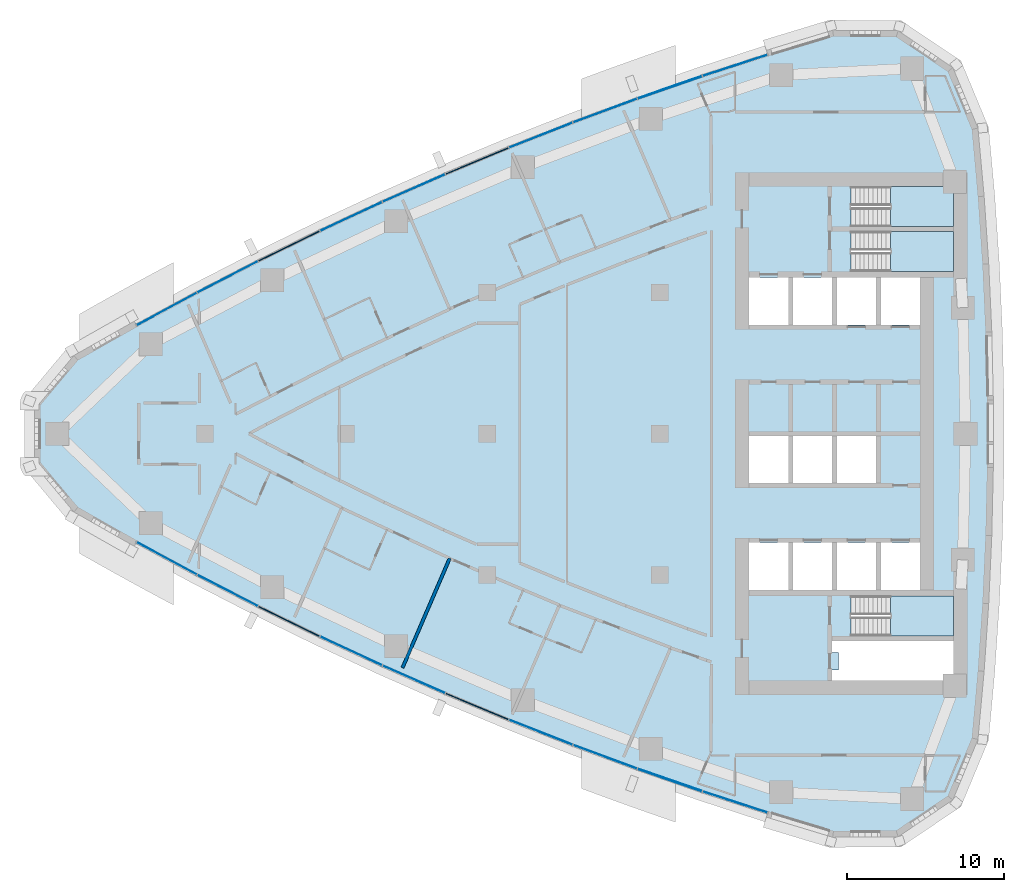
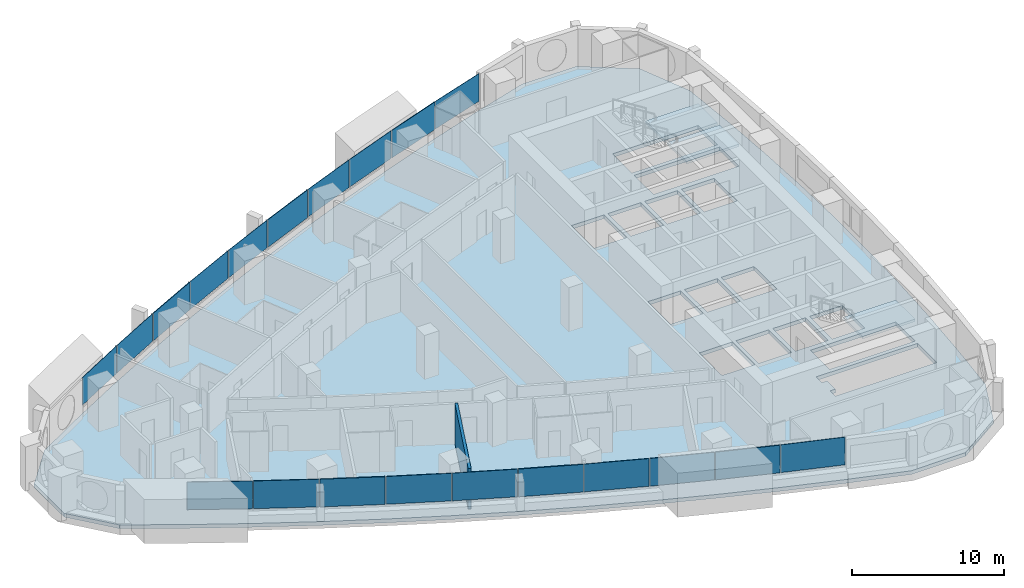
# One storey, part 7 of 17: 20 plates, 4 slabs, 1 wall, 1 opening, 13 elements without a shape of their own.
"""IFC4 building model written with IfcOpenShell, lengths in metres."""

from ifc_helpers import new_model, si_unit, direction, frame, frame_2d, origin, origin_2d, place, context, subcontext, project, spatial, polyline, rectangle, outline, extrude, material, layer, layer_set, type_object, element, aggregate, save


model = new_model("IFC4")

# Units and contexts
model_context = context("Model", 3, precision=1e-05, world=origin(), true_north=direction((0.0, 1.0)))
body_context = subcontext(model_context, "Body", "Model", "MODEL_VIEW")
ifc_project = project(units=[si_unit("LENGTHUNIT", "METRE"), si_unit("AREAUNIT", "SQUARE_METRE"), si_unit("VOLUMEUNIT", "CUBIC_METRE"), si_unit("PLANEANGLEUNIT", "RADIAN"), si_unit("MASSUNIT", "GRAM", prefix="KILO")], contexts=[model_context])

# Site, building, storey
site_placement = place(None, origin())
site = spatial("IfcSite", under=ifc_project, at=site_placement, CompositionType="ELEMENT")
building_placement = place(site_placement, origin())
building = spatial("IfcBuilding", under=site, at=building_placement, Name="Ostrand Prow Hotel Tower", CompositionType="ELEMENT")
storey_placement = place(building_placement, frame((0.0, 0.0, 158.60009765625)))
storey = spatial("IfcBuildingStorey", under=building, at=storey_placement, Name="L39", CompositionType="ELEMENT", Elevation=158.60009765625)

# Curtain wall, plates
ifc_material_1 = material(Name="Insulated glass in bronze anodised frame", Category="glass")
ifc_layer_1 = layer(ifc_material_1, 0.199951171875)
ifc_layer_set_1 = layer_set([ifc_layer_1], Name="Insulated glass in bronze anodised frame")
curtain_wall_type = type_object("IfcCurtainWallType", Name="Strip curtain wall, fritted glass over bronze spandrel", PredefinedType="NOTDEFINED", material=ifc_layer_set_1)
curtain_wall_1_placement = place(storey_placement, origin())
curtain_wall_1 = element("IfcCurtainWall", 1, at=curtain_wall_1_placement, inside=storey, type_object=curtain_wall_type, Name="CW1 run CWS1", PredefinedType="NOTDEFINED")
ifc_material_2 = material(Name="Ceramic-fritted glass", Category="glass")
ifc_layer_2 = layer(ifc_material_2, 0.031982421875)
ifc_layer_set_2 = layer_set([ifc_layer_2], Name="Ceramic-fritted glass")
plate_type_1 = type_object("IfcPlateType", Name="Dot-fritted ceramic glass unit 32 mm", PredefinedType="CURTAIN_PANEL", material=ifc_layer_set_2)
plate_1_placement = place(storey_placement, frame((13.572509765625, -7.951904296875, 1.02001953125), z_axis=(0.0, 0.0, 1.0), x_axis=(0.879773060847, -0.475393901316, 0.0)))
plate_1 = element("IfcPlate", 2, at=plate_1_placement, type_object=plate_type_1, Name="CW1 PN-D panel 1.2", PredefinedType="CURTAIN_PANEL", context=body_context, shape_type="SweptSolid", body=[
    extrude(rectangle(XDim=4.326171875, YDim=0.031982421875, at=origin_2d()), origin(), (0.0, 0.0, 1.0), 2.22998046875),
])
plate_2_placement = place(storey_placement, frame((17.45166015625, -9.998046875, 1.02001953125), z_axis=(0.0, 0.0, 1.0), x_axis=(0.889148164146, -0.457619429434, 0.0)))
plate_2 = element("IfcPlate", 3, at=plate_2_placement, type_object=plate_type_1, Name="CW1 PN-D panel 2.2", PredefinedType="CURTAIN_PANEL", context=body_context, shape_type="SweptSolid", body=[
    extrude(rectangle(XDim=4.326171875, YDim=0.031982421875, at=origin_2d()), origin(), (0.0, 0.0, 1.0), 2.22998046875),
])
aggregate(curtain_wall_1, [plate_1, plate_2])

# Curtain wall, plate
curtain_wall_2_placement = place(storey_placement, origin())
curtain_wall_2 = element("IfcCurtainWall", 4, at=curtain_wall_2_placement, inside=storey, type_object=curtain_wall_type, Name="CW1 run CWS2", PredefinedType="NOTDEFINED")
plate_3_placement = place(storey_placement, frame((25.329833984375, -13.8544921875, 1.02001953125), z_axis=(0.0, 0.0, 1.0), x_axis=(0.906818286337, -0.421521761673, 0.0)))
plate_3 = element("IfcPlate", 5, at=plate_3_placement, type_object=plate_type_1, Name="CW1 PN-D panel 2.2", PredefinedType="CURTAIN_PANEL", context=body_context, shape_type="SweptSolid", body=[
    extrude(rectangle(XDim=4.326171875, YDim=0.031982421875, at=origin_2d()), origin(), (0.0, 0.0, 1.0), 2.22998046875),
])

curtain_wall_3_placement = place(storey_placement, origin())
curtain_wall_3 = element("IfcCurtainWall", 6, at=curtain_wall_3_placement, inside=storey, type_object=curtain_wall_type, Name="CW1 run CWS3", PredefinedType="NOTDEFINED")
plate_4_placement = place(storey_placement, frame((29.3251953125, -15.6630859375, 1.02001953125), z_axis=(0.0, 0.0, 1.0), x_axis=(0.915106105993, -0.403213113347, 0.0)))
plate_4 = element("IfcPlate", 7, at=plate_4_placement, type_object=plate_type_1, Name="CW1 PN-D panel 1.2", PredefinedType="CURTAIN_PANEL", context=body_context, shape_type="SweptSolid", body=[
    extrude(rectangle(XDim=4.326171875, YDim=0.031982421875, at=origin_2d()), origin(), (0.0, 0.0, 1.0), 2.22998046875),
])

# Curtain wall, plates
curtain_wall_4_placement = place(storey_placement, origin())
curtain_wall_4 = element("IfcCurtainWall", 8, at=curtain_wall_4_placement, inside=storey, type_object=curtain_wall_type, Name="CW1 run CWS4", PredefinedType="NOTDEFINED")
plate_5_placement = place(storey_placement, frame((37.42138671875, -19.037841796875, 1.02001953125), z_axis=(0.0, 0.0, 1.0), x_axis=(0.930569089059, -0.366116334636, 0.0)))
plate_5 = element("IfcPlate", 9, at=plate_5_placement, type_object=plate_type_1, Name="CW1 PN-D panel 1.2", PredefinedType="CURTAIN_PANEL", context=body_context, shape_type="SweptSolid", body=[
    extrude(rectangle(XDim=4.326171875, YDim=0.031982421875, at=origin_2d()), origin(), (0.0, 0.0, 1.0), 2.22998046875),
])
plate_6_placement = place(storey_placement, frame((41.518798828125, -20.6025390625, 1.02001953125), z_axis=(0.0, 0.0, 1.0), x_axis=(0.937738678558, -0.347341576459, 0.0)))
plate_6 = element("IfcPlate", 10, at=plate_6_placement, type_object=plate_type_1, Name="CW1 PN-D panel 2.2", PredefinedType="CURTAIN_PANEL", context=body_context, shape_type="SweptSolid", body=[
    extrude(rectangle(XDim=4.326171875, YDim=0.031982421875, at=origin_2d()), origin(), (0.0, 0.0, 1.0), 2.22998046875),
])
aggregate(curtain_wall_4, [plate_5, plate_6])

# Curtain wall, plate
curtain_wall_5_placement = place(storey_placement, origin())
curtain_wall_5 = element("IfcCurtainWall", 11, at=curtain_wall_5_placement, inside=storey, type_object=curtain_wall_type, Name="CW1 run CWS5", PredefinedType="NOTDEFINED")
plate_7_placement = place(storey_placement, frame((49.803466796875, -23.483154296875, 1.02001953125), z_axis=(0.0, 0.0, 1.0), x_axis=(0.950938332153, -0.309380491373, 0.0)))
plate_7 = element("IfcPlate", 12, at=plate_7_placement, type_object=plate_type_1, Name="CW1 PN-D panel 2.2", PredefinedType="CURTAIN_PANEL", context=body_context, shape_type="SweptSolid", body=[
    extrude(rectangle(XDim=4.326171875, YDim=0.031982421875, at=origin_2d()), origin(), (0.0, 0.0, 1.0), 2.22998046875),
])

curtain_wall_6_placement = place(storey_placement, origin())
curtain_wall_6 = element("IfcCurtainWall", 13, at=curtain_wall_6_placement, inside=storey, type_object=curtain_wall_type, Name="CW1 run CWN1", PredefinedType="NOTDEFINED")
plate_8_placement = place(storey_placement, frame((49.803466796875, 23.483154296875, 1.02001953125), z_axis=(0.0, 0.0, 1.0), x_axis=(-0.950938332153, -0.309380491373, 0.0)))
plate_8 = element("IfcPlate", 14, at=plate_8_placement, type_object=plate_type_1, Name="CW1 PN-D panel 1.2", PredefinedType="CURTAIN_PANEL", context=body_context, shape_type="SweptSolid", body=[
    extrude(rectangle(XDim=4.326171875, YDim=0.031982421875, at=origin_2d()), origin(), (0.0, 0.0, 1.0), 2.22998046875),
])

# Curtain wall, plates
curtain_wall_7_placement = place(storey_placement, origin())
curtain_wall_7 = element("IfcCurtainWall", 15, at=curtain_wall_7_placement, inside=storey, type_object=curtain_wall_type, Name="CW1 run CWN2", PredefinedType="NOTDEFINED")
plate_9_placement = place(storey_placement, frame((41.518798828125, 20.6025390625, 1.02001953125), z_axis=(0.0, 0.0, 1.0), x_axis=(-0.937738678558, -0.347341576459, 0.0)))
plate_9 = element("IfcPlate", 16, at=plate_9_placement, type_object=plate_type_1, Name="CW1 PN-D panel 1.2", PredefinedType="CURTAIN_PANEL", context=body_context, shape_type="SweptSolid", body=[
    extrude(rectangle(XDim=4.326171875, YDim=0.031982421875, at=origin_2d()), origin(), (0.0, 0.0, 1.0), 2.22998046875),
])
plate_10_placement = place(storey_placement, frame((37.42138671875, 19.037841796875, 1.02001953125), z_axis=(0.0, 0.0, 1.0), x_axis=(-0.930569089059, -0.366116334636, 0.0)))
plate_10 = element("IfcPlate", 17, at=plate_10_placement, type_object=plate_type_1, Name="CW1 PN-D panel 2.2", PredefinedType="CURTAIN_PANEL", context=body_context, shape_type="SweptSolid", body=[
    extrude(rectangle(XDim=4.326171875, YDim=0.031982421875, at=origin_2d()), origin(), (0.0, 0.0, 1.0), 2.22998046875),
])
aggregate(curtain_wall_7, [plate_9, plate_10])

# Curtain wall, plate
curtain_wall_8_placement = place(storey_placement, origin())
curtain_wall_8 = element("IfcCurtainWall", 18, at=curtain_wall_8_placement, inside=storey, type_object=curtain_wall_type, Name="CW1 run CWN3", PredefinedType="NOTDEFINED")
plate_11_placement = place(storey_placement, frame((29.3251953125, 15.6630859375, 1.02001953125), z_axis=(0.0, 0.0, 1.0), x_axis=(-0.915106105993, -0.403213113347, 0.0)))
plate_11 = element("IfcPlate", 19, at=plate_11_placement, type_object=plate_type_1, Name="CW1 PN-D panel 2.2", PredefinedType="CURTAIN_PANEL", context=body_context, shape_type="SweptSolid", body=[
    extrude(rectangle(XDim=4.326171875, YDim=0.031982421875, at=origin_2d()), origin(), (0.0, 0.0, 1.0), 2.22998046875),
])

curtain_wall_9_placement = place(storey_placement, origin())
curtain_wall_9 = element("IfcCurtainWall", 20, at=curtain_wall_9_placement, inside=storey, type_object=curtain_wall_type, Name="CW1 run CWN4", PredefinedType="NOTDEFINED")
plate_12_placement = place(storey_placement, frame((25.329833984375, 13.8544921875, 1.02001953125), z_axis=(0.0, 0.0, 1.0), x_axis=(-0.906818286337, -0.421521761673, 0.0)))
plate_12 = element("IfcPlate", 21, at=plate_12_placement, type_object=plate_type_1, Name="CW1 PN-D panel 1.2", PredefinedType="CURTAIN_PANEL", context=body_context, shape_type="SweptSolid", body=[
    extrude(rectangle(XDim=4.326171875, YDim=0.031982421875, at=origin_2d()), origin(), (0.0, 0.0, 1.0), 2.22998046875),
])

# Curtain wall, plates
curtain_wall_10_placement = place(storey_placement, origin())
curtain_wall_10 = element("IfcCurtainWall", 22, at=curtain_wall_10_placement, inside=storey, type_object=curtain_wall_type, Name="CW1 run CWN5", PredefinedType="NOTDEFINED")
plate_13_placement = place(storey_placement, frame((17.45166015625, 9.998046875, 1.02001953125), z_axis=(0.0, 0.0, 1.0), x_axis=(-0.889148164146, -0.457619429434, 0.0)))
plate_13 = element("IfcPlate", 23, at=plate_13_placement, type_object=plate_type_1, Name="CW1 PN-D panel 1.2", PredefinedType="CURTAIN_PANEL", context=body_context, shape_type="SweptSolid", body=[
    extrude(rectangle(XDim=4.326171875, YDim=0.031982421875, at=origin_2d()), origin(), (0.0, 0.0, 1.0), 2.22998046875),
])
plate_14_placement = place(storey_placement, frame((13.572509765625, 7.951904296875, 1.02001953125), z_axis=(0.0, 0.0, 1.0), x_axis=(-0.879773060847, -0.475393901316, 0.0)))
plate_14 = element("IfcPlate", 24, at=plate_14_placement, type_object=plate_type_1, Name="CW1 PN-D panel 2.2", PredefinedType="CURTAIN_PANEL", context=body_context, shape_type="SweptSolid", body=[
    extrude(rectangle(XDim=4.326171875, YDim=0.031982421875, at=origin_2d()), origin(), (0.0, 0.0, 1.0), 2.22998046875),
])
aggregate(curtain_wall_10, [plate_13, plate_14])

# Plate
ifc_material_3 = material(Name="Fritted glass in bronze vent frame", Category="glass")
ifc_layer_3 = layer(ifc_material_3, 0.06005859375)
ifc_layer_set_3 = layer_set([ifc_layer_3], Name="Fritted glass in bronze vent frame")
plate_type_2 = type_object("IfcPlateType", Name="Operable vent panel 60 mm", PredefinedType="CURTAIN_PANEL", material=ifc_layer_set_3)
plate_15_placement = place(storey_placement, frame((21.371337890625, -11.9658203125, 1.02001953125), z_axis=(0.0, 0.0, 1.0), x_axis=(0.898164975061, -0.439658592061, 0.0)))
plate_15 = element("IfcPlate", 25, at=plate_15_placement, type_object=plate_type_2, Name="CW1 PN-O panel 1.2", PredefinedType="CURTAIN_PANEL", context=body_context, shape_type="SweptSolid", body=[
    extrude(rectangle(XDim=4.326171875, YDim=0.06005859375, at=origin_2d()), origin(), (0.0, 0.0, 1.0), 2.22998046875),
])

aggregate(curtain_wall_2, [plate_15, plate_3])

plate_16_placement = place(storey_placement, frame((33.3564453125, -17.39111328125, 1.02001953125), z_axis=(0.0, 0.0, 1.0), x_axis=(0.92302364777, -0.384743220418, 0.0)))
plate_16 = element("IfcPlate", 26, at=plate_16_placement, type_object=plate_type_2, Name="CW1 PN-O panel 2.2", PredefinedType="CURTAIN_PANEL", context=body_context, shape_type="SweptSolid", body=[
    extrude(rectangle(XDim=4.326171875, YDim=0.06005859375, at=origin_2d()), origin(), (0.0, 0.0, 1.0), 2.22998046875),
])

aggregate(curtain_wall_3, [plate_4, plate_16])

plate_17_placement = place(storey_placement, frame((45.646484375, -22.08447265625, 1.02001953125), z_axis=(0.0, 0.0, 1.0), x_axis=(0.944528947293, -0.328428177424, 0.0)))
plate_17 = element("IfcPlate", 27, at=plate_17_placement, type_object=plate_type_2, Name="CW1 PN-O panel 1.2", PredefinedType="CURTAIN_PANEL", context=body_context, shape_type="SweptSolid", body=[
    extrude(rectangle(XDim=4.326171875, YDim=0.06005859375, at=origin_2d()), origin(), (0.0, 0.0, 1.0), 2.22998046875),
])

aggregate(curtain_wall_5, [plate_17, plate_7])

plate_18_placement = place(storey_placement, frame((45.646484375, 22.08447265625, 1.02001953125), z_axis=(0.0, 0.0, 1.0), x_axis=(-0.944528947293, -0.328428177424, 0.0)))
plate_18 = element("IfcPlate", 28, at=plate_18_placement, type_object=plate_type_2, Name="CW1 PN-O panel 2.2", PredefinedType="CURTAIN_PANEL", context=body_context, shape_type="SweptSolid", body=[
    extrude(rectangle(XDim=4.326171875, YDim=0.06005859375, at=origin_2d()), origin(), (0.0, 0.0, 1.0), 2.22998046875),
])

aggregate(curtain_wall_6, [plate_8, plate_18])

plate_19_placement = place(storey_placement, frame((33.3564453125, 17.39111328125, 1.02001953125), z_axis=(0.0, 0.0, 1.0), x_axis=(-0.92302364777, -0.384743220418, 0.0)))
plate_19 = element("IfcPlate", 29, at=plate_19_placement, type_object=plate_type_2, Name="CW1 PN-O panel 1.2", PredefinedType="CURTAIN_PANEL", context=body_context, shape_type="SweptSolid", body=[
    extrude(rectangle(XDim=4.326171875, YDim=0.06005859375, at=origin_2d()), origin(), (0.0, 0.0, 1.0), 2.22998046875),
])

aggregate(curtain_wall_8, [plate_19, plate_11])

plate_20_placement = place(storey_placement, frame((21.371337890625, 11.9658203125, 1.02001953125), z_axis=(0.0, 0.0, 1.0), x_axis=(-0.898164975061, -0.439658592061, 0.0)))
plate_20 = element("IfcPlate", 30, at=plate_20_placement, type_object=plate_type_2, Name="CW1 PN-O panel 2.2", PredefinedType="CURTAIN_PANEL", context=body_context, shape_type="SweptSolid", body=[
    extrude(rectangle(XDim=4.326171875, YDim=0.06005859375, at=origin_2d()), origin(), (0.0, 0.0, 1.0), 2.22998046875),
])

aggregate(curtain_wall_9, [plate_12, plate_20])

# Slab, opening
ifc_material_4 = material(Name="Concrete C40/50", Category="concrete")
ifc_layer_4 = layer(ifc_material_4, 0.300048828125)
ifc_layer_set_4 = layer_set([ifc_layer_4], Name="Concrete C40/50")
slab_type_1 = type_object("IfcSlabType", Name="PT flat plate 300 C40/50", PredefinedType="FLOOR", material=ifc_layer_set_4)
slab_1_placement = place(storey_placement, frame((0.0, 0.0, -0.300048828125)))
slab_1 = element("IfcSlab", 31, at=slab_1_placement, inside=storey, type_object=slab_type_1, Name="Floor slab L39-1", PredefinedType="FLOOR", context=body_context, shape_type="SweptSolid", body=[
    extrude(outline(polyline([(7.658203125, 4.952880859375), (11.51611328125, 7.138916015625), (15.37939453125, 9.2265625), (19.283935546875, 11.236083984375), (23.228271484375, 13.166748046875), (27.210205078125, 15.017822265625), (31.22900390625, 16.788330078125), (35.2822265625, 18.47802734375), (39.36865234375, 20.085693359375), (43.486572265625, 21.611083984375), (47.63427734375, 23.05322265625), (51.810302734375, 24.411865234375), (56.046630859375, 25.696533203125), (60.193115234375, 25.6640625), (63.664306640625, 23.328125), (65.256103515625, 19.498779296875), (65.650390625, 15.148681640625), (65.944091796875, 10.825927734375), (66.139892578125, 6.497802734375), (66.23779296875, 2.166259765625), (66.23779296875, -2.166259765625), (66.139892578125, -6.497802734375), (65.944091796875, -10.825927734375), (65.650390625, -15.148681640625), (65.256103515625, -19.498779296875), (63.664306640625, -23.328125), (60.193115234375, -25.6640625), (56.046630859375, -25.696533203125), (51.810302734375, -24.411865234375), (47.63427734375, -23.05322265625), (43.486572265625, -21.611083984375), (39.36865234375, -20.085693359375), (35.2822265625, -18.47802734375), (31.22900390625, -16.788330078125), (27.210205078125, -15.017822265625), (23.228271484375, -13.166748046875), (19.283935546875, -11.236083984375), (15.37939453125, -9.2265625), (11.51611328125, -7.138916015625), (7.658203125, -4.952880859375), (5.16064453125, -1.968505859375), (5.16064453125, 1.968505859375), (7.658203125, 4.952880859375)]), holes=[polyline([(50.699951171875, 6.949951171875), (53.199951171875, 6.949951171875), (53.199951171875, 9.949951171875), (50.699951171875, 9.949951171875), (50.699951171875, 6.949951171875)]), polyline([(53.5, 6.949951171875), (56.0, 6.949951171875), (56.0, 9.949951171875), (53.5, 9.949951171875), (53.5, 6.949951171875)]), polyline([(56.300048828125, 6.949951171875), (58.800048828125, 6.949951171875), (58.800048828125, 9.949951171875), (56.300048828125, 9.949951171875), (56.300048828125, 6.949951171875)]), polyline([(59.10009765625, 6.949951171875), (61.60009765625, 6.949951171875), (61.60009765625, 9.949951171875), (59.10009765625, 9.949951171875), (59.10009765625, 6.949951171875)]), polyline([(50.699951171875, -3.14990234375), (53.199951171875, -3.14990234375), (53.199951171875, -0.14990234375), (50.699951171875, -0.14990234375), (50.699951171875, -3.14990234375)]), polyline([(53.5, -3.14990234375), (56.0, -3.14990234375), (56.0, -0.14990234375), (53.5, -0.14990234375), (53.5, -3.14990234375)]), polyline([(56.300048828125, -3.14990234375), (58.800048828125, -3.14990234375), (58.800048828125, -0.14990234375), (56.300048828125, -0.14990234375), (56.300048828125, -3.14990234375)]), polyline([(50.699951171875, -9.949951171875), (53.199951171875, -9.949951171875), (53.199951171875, -6.949951171875), (50.699951171875, -6.949951171875), (50.699951171875, -9.949951171875)]), polyline([(53.5, -9.949951171875), (56.0, -9.949951171875), (56.0, -6.949951171875), (53.5, -6.949951171875), (53.5, -9.949951171875)]), polyline([(56.300048828125, -9.949951171875), (58.800048828125, -9.949951171875), (58.800048828125, -6.949951171875), (56.300048828125, -6.949951171875), (56.300048828125, -9.949951171875)]), polyline([(59.10009765625, -9.949951171875), (61.60009765625, -9.949951171875), (61.60009765625, -6.949951171875), (59.10009765625, -6.949951171875), (59.10009765625, -9.949951171875)]), polyline([(57.200927734375, 10.35107421875), (57.200927734375, 12.89892578125), (63.718994140625, 12.89892578125), (63.718994140625, 10.35107421875), (57.200927734375, 10.35107421875)]), polyline([(57.200927734375, 13.200927734375), (57.200927734375, 15.7490234375), (63.718994140625, 15.7490234375), (63.718994140625, 13.200927734375), (57.200927734375, 13.200927734375)]), polyline([(57.200927734375, -12.89892578125), (57.200927734375, -10.35107421875), (63.718994140625, -10.35107421875), (63.718994140625, -12.89892578125), (57.200927734375, -12.89892578125)]), polyline([(56.0, -13.199951171875), (63.719970703125, -13.199951171875), (63.719970703125, -15.75), (56.0, -15.75), (56.0, -15.050048828125), (56.39990234375, -15.050048828125), (56.39990234375, -13.949951171875), (56.0, -13.949951171875), (56.0, -13.199951171875)])]), origin(), (0.0, 0.0, 1.0), 0.300048828125),
])
opening_placement = place(slab_1_placement, origin())
element("IfcOpeningElement", 32, at=opening_placement, cuts=slab_1, Name="Shaft opening 1", PredefinedType="OPENING", context=body_context, shape_type="SweptSolid", body=[
    extrude(outline(polyline([(56.0, -13.199951171875), (63.719970703125, -13.199951171875), (63.719970703125, -15.75), (56.0, -15.75), (56.0, -15.050048828125), (56.39990234375, -15.050048828125), (56.39990234375, -13.949951171875), (56.0, -13.949951171875), (56.0, -13.199951171875)])), origin(), (0.0, 0.0, 1.0), 0.300048828125),
])

# Stair, slab
ifc_material_5 = material(Name="Concrete C40/50", Category="concrete")
stair_type = type_object("IfcStairType", Name="Exit stair 1200 upper zone", PredefinedType="HALF_TURN_STAIR", material=ifc_material_5)
stair_1_placement = place(storey_placement, origin())
stair_1 = element("IfcStair", 33, at=stair_1_placement, inside=storey, type_object=stair_type, Name="L39 ST1C", PredefinedType="HALF_TURN_STAIR")
ifc_material_6 = material(Name="Concrete C40/50", Category="concrete")
ifc_layer_5 = layer(ifc_material_6, 0.199951171875)
ifc_layer_set_5 = layer_set([ifc_layer_5], Name="Concrete C40/50")
slab_type_2 = type_object("IfcSlabType", Name="Stair landing 200 concrete", PredefinedType="LANDING", material=ifc_layer_set_5)
slab_2_placement = place(storey_placement, frame((0.0, 0.0, 1.574951171875)))
slab_2 = element("IfcSlab", 34, at=slab_2_placement, type_object=slab_type_2, Name="ST1C landing 1", PredefinedType="LANDING", context=body_context, shape_type="SweptSolid", body=[
    extrude(outline(polyline([(59.719970703125, 10.35009765625), (63.719970703125, 10.35009765625), (63.719970703125, 12.89990234375), (59.719970703125, 12.89990234375), (59.719970703125, 10.35009765625)])), origin(), (0.0, 0.0, 1.0), 0.199951171875),
])
aggregate(stair_1, [slab_2])

stair_2_placement = place(storey_placement, origin())
stair_2 = element("IfcStair", 35, at=stair_2_placement, inside=storey, type_object=stair_type, Name="L39 ST3C", PredefinedType="HALF_TURN_STAIR")
slab_3_placement = place(storey_placement, frame((0.0, 0.0, 1.574951171875)))
slab_3 = element("IfcSlab", 36, at=slab_3_placement, type_object=slab_type_2, Name="ST3C landing 1", PredefinedType="LANDING", context=body_context, shape_type="SweptSolid", body=[
    extrude(outline(polyline([(59.719970703125, 13.199951171875), (63.719970703125, 13.199951171875), (63.719970703125, 15.75), (59.719970703125, 15.75), (59.719970703125, 13.199951171875)])), origin(), (0.0, 0.0, 1.0), 0.199951171875),
])
aggregate(stair_2, [slab_3])

stair_3_placement = place(storey_placement, origin())
stair_3 = element("IfcStair", 37, at=stair_3_placement, inside=storey, type_object=stair_type, Name="L39 ST2C", PredefinedType="HALF_TURN_STAIR")
slab_4_placement = place(storey_placement, frame((0.0, 0.0, 1.574951171875)))
slab_4 = element("IfcSlab", 38, at=slab_4_placement, type_object=slab_type_2, Name="ST2C landing 1", PredefinedType="LANDING", context=body_context, shape_type="SweptSolid", body=[
    extrude(outline(polyline([(59.719970703125, -12.89990234375), (63.719970703125, -12.89990234375), (63.719970703125, -10.35009765625), (59.719970703125, -10.35009765625), (59.719970703125, -12.89990234375)])), origin(), (0.0, 0.0, 1.0), 0.199951171875),
])
aggregate(stair_3, [slab_4])

# Wall
ifc_material_7 = material(Name="Plasterboard partition")
ifc_layer_6 = layer(ifc_material_7, 0.199951171875)
ifc_layer_set_6 = layer_set([ifc_layer_6], Name="Plasterboard partition")
wall_type = type_object("IfcWallType", Name="Partition 200 key partition", PredefinedType="PARTITIONING", material=ifc_layer_set_6)
wall_placement = place(storey_placement, frame((28.6025390625, -14.9208984375, 0.0), z_axis=(0.0, 0.0, 1.0), x_axis=(0.395976934703, 0.91826045716, 0.0)))
element("IfcWall", 39, at=wall_placement, inside=storey, type_object=wall_type, Name="KEY PARTITION", PredefinedType="PARTITIONING", context=body_context, shape_type="SweptSolid", body=[
    extrude(rectangle(XDim=7.600341796875, YDim=0.199951171875, at=frame_2d((3.80029296875, 0.0))), origin(), (0.0, 0.0, 1.0), 3.25),
])

save(model, "model.ifc")
